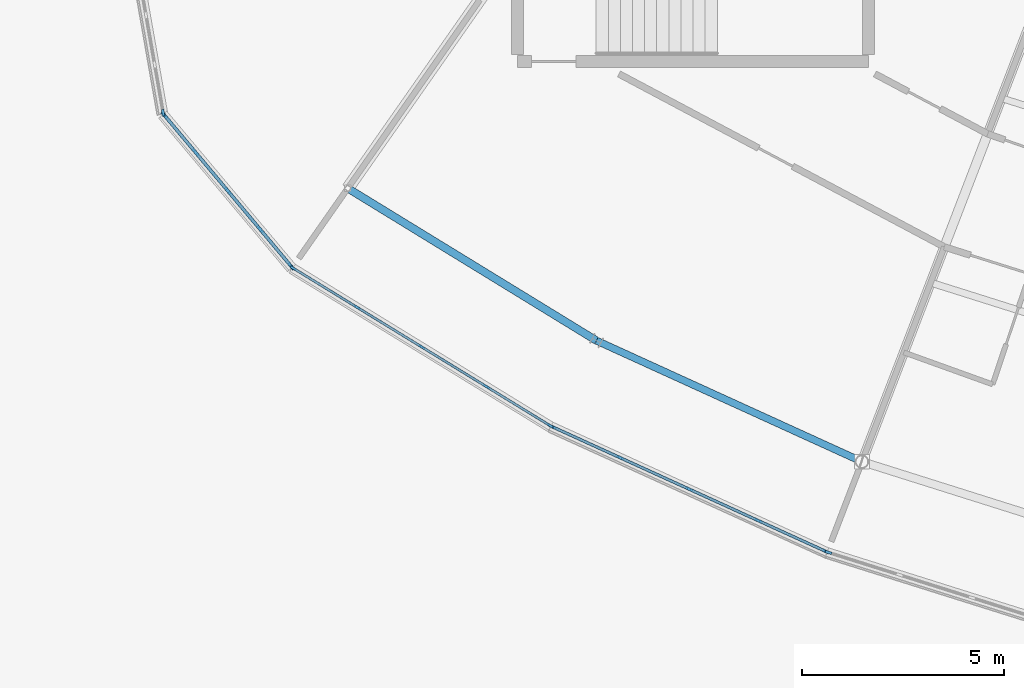
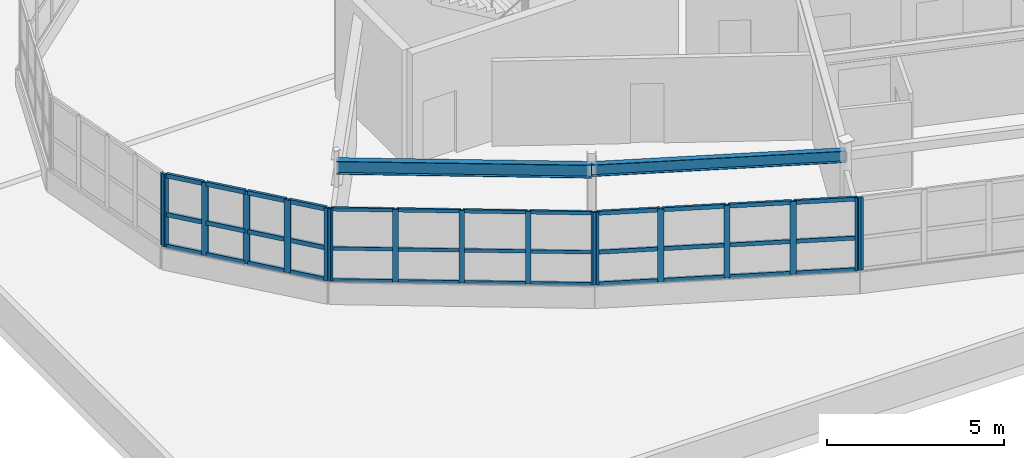
# One storey, part 26 of 128: 53 members, 2 beams, 5 elements without a shape of their own.
"""IFC4 building model written with IfcOpenShell, lengths in metres."""

from ifc_helpers import new_model, si_unit, direction, frame, origin, origin_2d, place, context, subcontext, project, spatial, rectangle, i_section, extrude, material, layer, layer_set, material_profile, profile_set, type_object, element, aggregate, save


model = new_model("IFC4")

# Units and contexts
model_context = context("Model", 3, precision=1e-05, world=origin(), true_north=direction((0.0, 1.0)))
body_context = subcontext(model_context, "Body", "Model", "MODEL_VIEW")
ifc_project = project(units=[si_unit("LENGTHUNIT", "METRE"), si_unit("AREAUNIT", "SQUARE_METRE"), si_unit("VOLUMEUNIT", "CUBIC_METRE"), si_unit("PLANEANGLEUNIT", "RADIAN"), si_unit("MASSUNIT", "GRAM", prefix="KILO")], contexts=[model_context])

# Site, building, storey
site_placement = place(None, origin())
site = spatial("IfcSite", under=ifc_project, at=site_placement, CompositionType="ELEMENT")
building_placement = place(site_placement, origin())
building = spatial("IfcBuilding", under=site, at=building_placement, Name="Tarnwether General Hospital", CompositionType="ELEMENT")
storey_placement = place(building_placement, frame((0.0, 0.0, 14.39990234375)))
storey = spatial("IfcBuildingStorey", under=building, at=storey_placement, Name="L03", CompositionType="ELEMENT", Elevation=14.39990234375)

# Beams
ifc_material_1 = material(Name="Steel Grade 350 (350 MPa)", Category="steel")
ifc_material_profile_1 = material_profile(ifc_material_1, i_section(OverallWidth=0.18994140625, OverallDepth=0.4541015625, WebThickness=0.008544921875, FlangeThickness=0.0126953125, at=origin_2d()), Name="460UB67.1")
ifc_profile_set_1 = profile_set([ifc_material_profile_1], Name="Steel Grade 350 (350 MPa)")
beam_type_1 = type_object("IfcBeamType", Name="BM-SP1", PredefinedType="SPANDREL", material=ifc_profile_set_1)
beam_1_placement = place(storey_placement, frame((58.0439453125, 14.506103515625, 3.3330078125), z_axis=(0.852678430503, -0.522436114902, 0.0), x_axis=(0.522436114902, 0.852678430503, 0.0)))
element("IfcBeam", 1, at=beam_1_placement, inside=storey, type_object=beam_type_1, Name="Curved Ward SE Outer Spandrel BMG-L03-5804_1451-6421_1073-2105", PredefinedType="SPANDREL", context=body_context, shape_type="SweptSolid", body=[
    extrude(i_section(OverallWidth=0.18994140625, OverallDepth=0.4541015625, WebThickness=0.008544921875, FlangeThickness=0.0126953125, at=origin_2d()), origin(), (0.0, 0.0, 1.0), 7.22802734375),
])
ifc_material_2 = material(Name="Steel Grade 350 (350 MPa)", Category="steel")
ifc_material_profile_2 = material_profile(ifc_material_2, i_section(OverallWidth=0.177978515625, OverallDepth=0.403076171875, WebThickness=0.007568359375, FlangeThickness=0.010986328125, at=origin_2d()), Name="410UB53.7")
ifc_profile_set_2 = profile_set([ifc_material_profile_2], Name="Steel Grade 350 (350 MPa)")
beam_type_2 = type_object("IfcBeamType", Name="BM-SP2", PredefinedType="SPANDREL", material=ifc_profile_set_2)
beam_2_placement = place(storey_placement, frame((64.20703125, 10.72998046875, 3.358642578125), z_axis=(0.909943842177, -0.414731484316, 0.0), x_axis=(0.414731484316, 0.909943842177, 0.0)))
element("IfcBeam", 2, at=beam_2_placement, inside=storey, type_object=beam_type_2, Name="Curved Ward SE Outer Spandrel BMG-L03-6421_1073-7078_773-2107", PredefinedType="SPANDREL", context=body_context, shape_type="SweptSolid", body=[
    extrude(i_section(OverallWidth=0.177978515625, OverallDepth=0.403076171875, WebThickness=0.007568359375, FlangeThickness=0.010986328125, at=origin_2d()), origin(), (0.0, 0.0, 1.0), 7.22900390625),
])

# Curtain wall, members
ifc_material_3 = material(Name="Anodised aluminium", Category="aluminium")
ifc_layer_1 = layer(ifc_material_3, 0.179931640625)
ifc_layer_set_1 = layer_set([ifc_layer_1], Name="Anodised aluminium")
curtain_wall_type_1 = type_object("IfcCurtainWallType", Name="CW-08", PredefinedType="NOTDEFINED", material=ifc_layer_set_1)
curtain_wall_1_placement = place(storey_placement, origin())
curtain_wall_1 = element("IfcCurtainWall", 3, at=curtain_wall_1_placement, inside=storey, type_object=curtain_wall_type_1, Name="Curtain Wall CWG-L03-631_86-0154", PredefinedType="NOTDEFINED")
ifc_material_4 = material(Name="Anodised aluminium", Category="aluminium")
ifc_material_profile_3 = material_profile(ifc_material_4, rectangle(XDim=0.06005859375, YDim=0.159912109375, at=origin_2d()), Name="ALU-MUL-60x160")
ifc_profile_set_3 = profile_set([ifc_material_profile_3], Name="Anodised aluminium")
member_type_1 = type_object("IfcMemberType", Name="CW-ML1", PredefinedType="MULLION", material=ifc_profile_set_3)
member_1_placement = place(storey_placement, frame((63.055419921875, 8.625732421875, 1.050048828125), z_axis=(0.0, 0.0, 1.0), x_axis=(-0.522509056361, -0.852633734977, 0.0)))
member_1 = element("IfcMember", 4, at=member_1_placement, type_object=member_type_1, Name="CW-08 mullion 1", PredefinedType="MULLION", context=body_context, shape_type="SweptSolid", body=[
    extrude(rectangle(XDim=0.06005859375, YDim=0.159912109375, at=origin_2d()), origin(), (0.0, 0.0, 1.0), 2.510009765625),
])
member_2_placement = place(storey_placement, frame((61.477783203125, 9.592529296875, 1.050048828125), z_axis=(0.0, 0.0, 1.0), x_axis=(-0.522509056361, -0.852633734977, 0.0)))
member_2 = element("IfcMember", 5, at=member_2_placement, type_object=member_type_1, Name="CW-08 mullion 2", PredefinedType="MULLION", context=body_context, shape_type="SweptSolid", body=[
    extrude(rectangle(XDim=0.06005859375, YDim=0.159912109375, at=origin_2d()), origin(), (0.0, 0.0, 1.0), 2.510009765625),
])
member_3_placement = place(storey_placement, frame((59.87451171875, 10.574951171875, 1.050048828125), z_axis=(0.0, 0.0, 1.0), x_axis=(-0.522509056361, -0.852633734977, 0.0)))
member_3 = element("IfcMember", 6, at=member_3_placement, type_object=member_type_1, Name="CW-08 mullion 3", PredefinedType="MULLION", context=body_context, shape_type="SweptSolid", body=[
    extrude(rectangle(XDim=0.06005859375, YDim=0.159912109375, at=origin_2d()), origin(), (0.0, 0.0, 1.0), 2.510009765625),
])
member_4_placement = place(storey_placement, frame((58.271240234375, 11.5576171875, 1.050048828125), z_axis=(0.0, 0.0, 1.0), x_axis=(-0.522509056361, -0.852633734977, 0.0)))
member_4 = element("IfcMember", 7, at=member_4_placement, type_object=member_type_1, Name="CW-08 mullion 4", PredefinedType="MULLION", context=body_context, shape_type="SweptSolid", body=[
    extrude(rectangle(XDim=0.06005859375, YDim=0.159912109375, at=origin_2d()), origin(), (0.0, 0.0, 1.0), 2.510009765625),
])
member_5_placement = place(storey_placement, frame((56.693603515625, 12.5244140625, 1.050048828125), z_axis=(0.0, 0.0, 1.0), x_axis=(-0.522509056361, -0.852633734977, 0.0)))
member_5 = element("IfcMember", 8, at=member_5_placement, type_object=member_type_1, Name="CW-08 mullion 5", PredefinedType="MULLION", context=body_context, shape_type="SweptSolid", body=[
    extrude(rectangle(XDim=0.06005859375, YDim=0.159912109375, at=origin_2d()), origin(), (0.0, 0.0, 1.0), 2.510009765625),
])

curtain_wall_2_placement = place(storey_placement, origin())
curtain_wall_2 = element("IfcCurtainWall", 9, at=curtain_wall_2_placement, inside=storey, type_object=curtain_wall_type_1, Name="Curtain Wall CWG-L03-699_55-0155", PredefinedType="NOTDEFINED")
ifc_material_5 = material(Name="Anodised aluminium", Category="aluminium")
ifc_material_profile_4 = material_profile(ifc_material_5, rectangle(XDim=0.070068359375, YDim=0.179931640625, at=origin_2d()), Name="ALU-MUL-70x180")
ifc_profile_set_4 = profile_set([ifc_material_profile_4], Name="Anodised aluminium")
member_type_2 = type_object("IfcMemberType", Name="CW-ML2", PredefinedType="MULLION", material=ifc_profile_set_4)
member_6_placement = place(storey_placement, frame((69.89306640625, 5.505615234375, 1.050048828125), z_axis=(0.0, 0.0, 1.0), x_axis=(-0.414694289316, -0.909960793886, 0.0)))
member_6 = element("IfcMember", 10, at=member_6_placement, type_object=member_type_2, Name="CW-08 mullion 1", PredefinedType="MULLION", context=body_context, shape_type="SweptSolid", body=[
    extrude(rectangle(XDim=0.070068359375, YDim=0.179931640625, at=origin_2d()), origin(), (0.0, 0.0, 1.0), 2.510009765625),
])
member_7_placement = place(storey_placement, frame((68.214111328125, 6.270751953125, 1.050048828125), z_axis=(0.0, 0.0, 1.0), x_axis=(-0.414694289316, -0.909960793886, 0.0)))
member_7 = element("IfcMember", 11, at=member_7_placement, type_object=member_type_2, Name="CW-08 mullion 2", PredefinedType="MULLION", context=body_context, shape_type="SweptSolid", body=[
    extrude(rectangle(XDim=0.070068359375, YDim=0.179931640625, at=origin_2d()), origin(), (0.0, 0.0, 1.0), 2.510009765625),
])
member_8_placement = place(storey_placement, frame((66.5029296875, 7.050537109375, 1.050048828125), z_axis=(0.0, 0.0, 1.0), x_axis=(-0.414694289316, -0.909960793886, 0.0)))
member_8 = element("IfcMember", 12, at=member_8_placement, type_object=member_type_2, Name="CW-08 mullion 3", PredefinedType="MULLION", context=body_context, shape_type="SweptSolid", body=[
    extrude(rectangle(XDim=0.070068359375, YDim=0.179931640625, at=origin_2d()), origin(), (0.0, 0.0, 1.0), 2.510009765625),
])
member_9_placement = place(storey_placement, frame((64.7919921875, 7.830322265625, 1.050048828125), z_axis=(0.0, 0.0, 1.0), x_axis=(-0.414694289316, -0.909960793886, 0.0)))
member_9 = element("IfcMember", 13, at=member_9_placement, type_object=member_type_2, Name="CW-08 mullion 4", PredefinedType="MULLION", context=body_context, shape_type="SweptSolid", body=[
    extrude(rectangle(XDim=0.070068359375, YDim=0.179931640625, at=origin_2d()), origin(), (0.0, 0.0, 1.0), 2.510009765625),
])
member_10_placement = place(storey_placement, frame((63.11279296875, 8.595458984375, 1.050048828125), z_axis=(0.0, 0.0, 1.0), x_axis=(-0.414694289316, -0.909960793886, 0.0)))
member_10 = element("IfcMember", 14, at=member_10_placement, type_object=member_type_2, Name="CW-08 mullion 5", PredefinedType="MULLION", context=body_context, shape_type="SweptSolid", body=[
    extrude(rectangle(XDim=0.070068359375, YDim=0.179931640625, at=origin_2d()), origin(), (0.0, 0.0, 1.0), 2.510009765625),
])

# Curtain wall, member
curtain_wall_3_placement = place(storey_placement, origin())
curtain_wall_3 = element("IfcCurtainWall", 15, at=curtain_wall_3_placement, inside=storey, type_object=curtain_wall_type_1, Name="Curtain Wall CWG-L03-771_32-0156", PredefinedType="NOTDEFINED")
ifc_material_6 = material(Name="Anodised aluminium", Category="aluminium")
ifc_material_profile_5 = material_profile(ifc_material_6, rectangle(XDim=0.06494140625, YDim=0.169921875, at=origin_2d()), Name="ALU-MUL-65x170")
ifc_profile_set_5 = profile_set([ifc_material_profile_5], Name="Anodised aluminium")
member_type_3 = type_object("IfcMemberType", Name="CW-ML3", PredefinedType="MULLION", material=ifc_profile_set_5)
member_11_placement = place(storey_placement, frame((69.9560546875, 5.481201171875, 1.050048828125), z_axis=(0.0, 0.0, 1.0), x_axis=(-0.300628613299, -0.953741284032, 0.0)))
member_11 = element("IfcMember", 16, at=member_11_placement, type_object=member_type_3, Name="CW-08 mullion 5", PredefinedType="MULLION", context=body_context, shape_type="SweptSolid", body=[
    extrude(rectangle(XDim=0.06494140625, YDim=0.169921875, at=origin_2d()), origin(), (0.0, 0.0, 1.0), 2.510009765625),
])
aggregate(curtain_wall_3, [member_11])

ifc_material_7 = material(Name="Anodised aluminium", Category="aluminium")
ifc_layer_2 = layer(ifc_material_7, 0.159912109375)
ifc_layer_set_2 = layer_set([ifc_layer_2], Name="Anodised aluminium")
curtain_wall_type_2 = type_object("IfcCurtainWallType", Name="CW-04", PredefinedType="NOTDEFINED", material=ifc_layer_set_2)
curtain_wall_4_placement = place(storey_placement, origin())
curtain_wall_4 = element("IfcCurtainWall", 17, at=curtain_wall_4_placement, inside=storey, type_object=curtain_wall_type_2, Name="Curtain Wall CWG-L03-535_163-0184", PredefinedType="NOTDEFINED")
member_12_placement = place(storey_placement, frame((53.46728515625, 16.37890625, 1.050048828125), z_axis=(0.0, 0.0, 1.0), x_axis=(-0.984840230098, -0.173463890135, 0.0)))
member_12 = element("IfcMember", 18, at=member_12_placement, type_object=member_type_3, Name="CW-04 mullion 1", PredefinedType="MULLION", context=body_context, shape_type="SweptSolid", body=[
    extrude(rectangle(XDim=0.06494140625, YDim=0.169921875, at=origin_2d()), origin(), (0.0, 0.0, 1.0), 2.510009765625),
])
aggregate(curtain_wall_4, [member_12])

# Curtain wall, members
curtain_wall_5_placement = place(storey_placement, origin())
curtain_wall_5 = element("IfcCurtainWall", 19, at=curtain_wall_5_placement, inside=storey, type_object=curtain_wall_type_2, Name="Curtain Wall CWG-L03-567_125-0185", PredefinedType="NOTDEFINED")
ifc_material_8 = material(Name="Anodised aluminium", Category="aluminium")
ifc_material_profile_6 = material_profile(ifc_material_8, rectangle(XDim=0.080078125, YDim=0.199951171875, at=origin_2d()), Name="ALU-MUL-80x200")
ifc_profile_set_6 = profile_set([ifc_material_profile_6], Name="Anodised aluminium")
member_type_4 = type_object("IfcMemberType", Name="CW-ML4", PredefinedType="MULLION", material=ifc_profile_set_6)
member_13_placement = place(storey_placement, frame((56.642333984375, 12.570556640625, 1.050048828125), z_axis=(0.0, 0.0, 1.0), x_axis=(-0.765990176896, -0.64285227611, 0.0)))
member_13 = element("IfcMember", 20, at=member_13_placement, type_object=member_type_4, Name="CW-04 mullion 1", PredefinedType="MULLION", context=body_context, shape_type="SweptSolid", body=[
    extrude(rectangle(XDim=0.080078125, YDim=0.199951171875, at=origin_2d()), origin(), (0.0, 0.0, 1.0), 2.510009765625),
])
member_14_placement = place(storey_placement, frame((55.869140625, 13.49169921875, 1.050048828125), z_axis=(0.0, 0.0, 1.0), x_axis=(-0.765990176896, -0.64285227611, 0.0)))
member_14 = element("IfcMember", 21, at=member_14_placement, type_object=member_type_4, Name="CW-04 mullion 2", PredefinedType="MULLION", context=body_context, shape_type="SweptSolid", body=[
    extrude(rectangle(XDim=0.080078125, YDim=0.199951171875, at=origin_2d()), origin(), (0.0, 0.0, 1.0), 2.510009765625),
])
member_15_placement = place(storey_placement, frame((55.070556640625, 14.443603515625, 1.050048828125), z_axis=(0.0, 0.0, 1.0), x_axis=(-0.765990176896, -0.64285227611, 0.0)))
member_15 = element("IfcMember", 22, at=member_15_placement, type_object=member_type_4, Name="CW-04 mullion 3", PredefinedType="MULLION", context=body_context, shape_type="SweptSolid", body=[
    extrude(rectangle(XDim=0.080078125, YDim=0.199951171875, at=origin_2d()), origin(), (0.0, 0.0, 1.0), 2.510009765625),
])
member_16_placement = place(storey_placement, frame((54.271728515625, 15.395263671875, 1.050048828125), z_axis=(0.0, 0.0, 1.0), x_axis=(-0.765990176896, -0.64285227611, 0.0)))
member_16 = element("IfcMember", 23, at=member_16_placement, type_object=member_type_4, Name="CW-04 mullion 4", PredefinedType="MULLION", context=body_context, shape_type="SweptSolid", body=[
    extrude(rectangle(XDim=0.080078125, YDim=0.199951171875, at=origin_2d()), origin(), (0.0, 0.0, 1.0), 2.510009765625),
])
member_17_placement = place(storey_placement, frame((53.498779296875, 16.31640625, 1.050048828125), z_axis=(0.0, 0.0, 1.0), x_axis=(-0.765990176896, -0.64285227611, 0.0)))
member_17 = element("IfcMember", 24, at=member_17_placement, type_object=member_type_4, Name="CW-04 mullion 5", PredefinedType="MULLION", context=body_context, shape_type="SweptSolid", body=[
    extrude(rectangle(XDim=0.080078125, YDim=0.199951171875, at=origin_2d()), origin(), (0.0, 0.0, 1.0), 2.510009765625),
])

# Member
ifc_material_9 = material(Name="Anodised aluminium", Category="aluminium")
ifc_material_profile_7 = material_profile(ifc_material_9, rectangle(XDim=0.06005859375, YDim=0.1201171875, at=origin_2d()), Name="ALU-TRN-60x120")
ifc_profile_set_7 = profile_set([ifc_material_profile_7], Name="Anodised aluminium")
member_type_5 = type_object("IfcMemberType", Name="CW-TR1", PredefinedType="USERDEFINED", material=ifc_profile_set_7)
member_18_placement = place(storey_placement, frame((63.02978515625, 8.641357421875, 1.080078125), z_axis=(-0.852593412512, 0.522574849128, 0.0), x_axis=(-0.522574849128, -0.852593412512, 0.0)))
member_18 = element("IfcMember", 25, at=member_18_placement, type_object=member_type_5, Name="CW-08 transom 1.1", ObjectType="TRANSOM", PredefinedType="USERDEFINED", context=body_context, shape_type="SweptSolid", body=[
    extrude(rectangle(XDim=0.06005859375, YDim=0.1201171875, at=origin_2d()), origin(), (0.0, 0.0, 1.0), 1.790283203125),
])

member_19_placement = place(storey_placement, frame((63.02978515625, 8.641357421875, 2.1796875), z_axis=(-0.852593412512, 0.522574849128, 0.0), x_axis=(-0.522574849128, -0.852593412512, 0.0)))
member_19 = element("IfcMember", 26, at=member_19_placement, type_object=member_type_5, Name="CW-08 transom 1.2", ObjectType="TRANSOM", PredefinedType="USERDEFINED", context=body_context, shape_type="SweptSolid", body=[
    extrude(rectangle(XDim=0.06005859375, YDim=0.1201171875, at=origin_2d()), origin(), (0.0, 0.0, 1.0), 1.790283203125),
])

member_20_placement = place(storey_placement, frame((63.02978515625, 8.641357421875, 3.530029296875), z_axis=(-0.852593412512, 0.522574849128, 0.0), x_axis=(-0.522574849128, -0.852593412512, 0.0)))
member_20 = element("IfcMember", 27, at=member_20_placement, type_object=member_type_5, Name="CW-08 transom 1.3", ObjectType="TRANSOM", PredefinedType="USERDEFINED", context=body_context, shape_type="SweptSolid", body=[
    extrude(rectangle(XDim=0.06005859375, YDim=0.1201171875, at=origin_2d()), origin(), (0.0, 0.0, 1.0), 1.790283203125),
])

member_21_placement = place(storey_placement, frame((61.4521484375, 9.608154296875, 1.080078125), z_axis=(-0.852614745509, 0.522540042237, 0.0), x_axis=(-0.522540042237, -0.852614745509, 0.0)))
member_21 = element("IfcMember", 28, at=member_21_placement, type_object=member_type_5, Name="CW-08 transom 2.1", ObjectType="TRANSOM", PredefinedType="USERDEFINED", context=body_context, shape_type="SweptSolid", body=[
    extrude(rectangle(XDim=0.06005859375, YDim=0.1201171875, at=origin_2d()), origin(), (0.0, 0.0, 1.0), 1.8203125),
])

member_22_placement = place(storey_placement, frame((61.4521484375, 9.608154296875, 2.1796875), z_axis=(-0.852614745509, 0.522540042237, 0.0), x_axis=(-0.522540042237, -0.852614745509, 0.0)))
member_22 = element("IfcMember", 29, at=member_22_placement, type_object=member_type_5, Name="CW-08 transom 2.2", ObjectType="TRANSOM", PredefinedType="USERDEFINED", context=body_context, shape_type="SweptSolid", body=[
    extrude(rectangle(XDim=0.06005859375, YDim=0.1201171875, at=origin_2d()), origin(), (0.0, 0.0, 1.0), 1.8203125),
])

member_23_placement = place(storey_placement, frame((61.4521484375, 9.608154296875, 3.530029296875), z_axis=(-0.852614745509, 0.522540042237, 0.0), x_axis=(-0.522540042237, -0.852614745509, 0.0)))
member_23 = element("IfcMember", 30, at=member_23_placement, type_object=member_type_5, Name="CW-08 transom 2.3", ObjectType="TRANSOM", PredefinedType="USERDEFINED", context=body_context, shape_type="SweptSolid", body=[
    extrude(rectangle(XDim=0.06005859375, YDim=0.1201171875, at=origin_2d()), origin(), (0.0, 0.0, 1.0), 1.8203125),
])

member_24_placement = place(storey_placement, frame((59.848876953125, 10.590576171875, 1.080078125), z_axis=(-0.852614745509, 0.522540042237, 0.0), x_axis=(-0.522540042237, -0.852614745509, 0.0)))
member_24 = element("IfcMember", 31, at=member_24_placement, type_object=member_type_5, Name="CW-08 transom 3.1", ObjectType="TRANSOM", PredefinedType="USERDEFINED", context=body_context, shape_type="SweptSolid", body=[
    extrude(rectangle(XDim=0.06005859375, YDim=0.1201171875, at=origin_2d()), origin(), (0.0, 0.0, 1.0), 1.8203125),
])

member_25_placement = place(storey_placement, frame((59.848876953125, 10.590576171875, 2.1796875), z_axis=(-0.852614745509, 0.522540042237, 0.0), x_axis=(-0.522540042237, -0.852614745509, 0.0)))
member_25 = element("IfcMember", 32, at=member_25_placement, type_object=member_type_5, Name="CW-08 transom 3.2", ObjectType="TRANSOM", PredefinedType="USERDEFINED", context=body_context, shape_type="SweptSolid", body=[
    extrude(rectangle(XDim=0.06005859375, YDim=0.1201171875, at=origin_2d()), origin(), (0.0, 0.0, 1.0), 1.8203125),
])

member_26_placement = place(storey_placement, frame((59.848876953125, 10.590576171875, 3.530029296875), z_axis=(-0.852614745509, 0.522540042237, 0.0), x_axis=(-0.522540042237, -0.852614745509, 0.0)))
member_26 = element("IfcMember", 33, at=member_26_placement, type_object=member_type_5, Name="CW-08 transom 3.3", ObjectType="TRANSOM", PredefinedType="USERDEFINED", context=body_context, shape_type="SweptSolid", body=[
    extrude(rectangle(XDim=0.06005859375, YDim=0.1201171875, at=origin_2d()), origin(), (0.0, 0.0, 1.0), 1.8203125),
])

member_27_placement = place(storey_placement, frame((58.24560546875, 11.5732421875, 1.080078125), z_axis=(-0.852654170479, 0.52247570811, 0.0), x_axis=(-0.52247570811, -0.852654170479, 0.0)))
member_27 = element("IfcMember", 34, at=member_27_placement, type_object=member_type_5, Name="CW-08 transom 4.1", ObjectType="TRANSOM", PredefinedType="USERDEFINED", context=body_context, shape_type="SweptSolid", body=[
    extrude(rectangle(XDim=0.06005859375, YDim=0.1201171875, at=origin_2d()), origin(), (0.0, 0.0, 1.0), 1.7900390625),
])

member_28_placement = place(storey_placement, frame((58.24560546875, 11.5732421875, 2.1796875), z_axis=(-0.852654170479, 0.52247570811, 0.0), x_axis=(-0.52247570811, -0.852654170479, 0.0)))
member_28 = element("IfcMember", 35, at=member_28_placement, type_object=member_type_5, Name="CW-08 transom 4.2", ObjectType="TRANSOM", PredefinedType="USERDEFINED", context=body_context, shape_type="SweptSolid", body=[
    extrude(rectangle(XDim=0.06005859375, YDim=0.1201171875, at=origin_2d()), origin(), (0.0, 0.0, 1.0), 1.7900390625),
])

member_29_placement = place(storey_placement, frame((58.24560546875, 11.5732421875, 3.530029296875), z_axis=(-0.852654170479, 0.52247570811, 0.0), x_axis=(-0.52247570811, -0.852654170479, 0.0)))
member_29 = element("IfcMember", 36, at=member_29_placement, type_object=member_type_5, Name="CW-08 transom 4.3", ObjectType="TRANSOM", PredefinedType="USERDEFINED", context=body_context, shape_type="SweptSolid", body=[
    extrude(rectangle(XDim=0.06005859375, YDim=0.1201171875, at=origin_2d()), origin(), (0.0, 0.0, 1.0), 1.7900390625),
])

aggregate(curtain_wall_1, [member_1, member_2, member_3, member_4, member_5, member_18, member_19, member_20, member_21, member_22, member_23, member_24, member_25, member_26, member_27, member_28, member_29])

ifc_material_10 = material(Name="Anodised aluminium", Category="aluminium")
ifc_material_profile_8 = material_profile(ifc_material_10, rectangle(XDim=0.070068359375, YDim=0.139892578125, at=origin_2d()), Name="ALU-TRN-70x140")
ifc_profile_set_8 = profile_set([ifc_material_profile_8], Name="Anodised aluminium")
member_type_6 = type_object("IfcMemberType", Name="CW-TR2", PredefinedType="USERDEFINED", material=ifc_profile_set_8)
member_30_placement = place(storey_placement, frame((69.861328125, 5.52001953125, 1.085205078125), z_axis=(-0.909937431902, 0.414745548529, 0.0), x_axis=(-0.414745548529, -0.909937431902, 0.0)))
member_30 = element("IfcMember", 37, at=member_30_placement, type_object=member_type_6, Name="CW-08 transom 1.1", ObjectType="TRANSOM", PredefinedType="USERDEFINED", context=body_context, shape_type="SweptSolid", body=[
    extrude(rectangle(XDim=0.070068359375, YDim=0.139892578125, at=origin_2d()), origin(), (0.0, 0.0, 1.0), 1.775390625),
])

member_31_placement = place(storey_placement, frame((69.861328125, 5.52001953125, 2.1796875), z_axis=(-0.909937431902, 0.414745548529, 0.0), x_axis=(-0.414745548529, -0.909937431902, 0.0)))
member_31 = element("IfcMember", 38, at=member_31_placement, type_object=member_type_6, Name="CW-08 transom 1.2", ObjectType="TRANSOM", PredefinedType="USERDEFINED", context=body_context, shape_type="SweptSolid", body=[
    extrude(rectangle(XDim=0.070068359375, YDim=0.139892578125, at=origin_2d()), origin(), (0.0, 0.0, 1.0), 1.775390625),
])

member_32_placement = place(storey_placement, frame((69.861328125, 5.52001953125, 3.525146484375), z_axis=(-0.909937431902, 0.414745548529, 0.0), x_axis=(-0.414745548529, -0.909937431902, 0.0)))
member_32 = element("IfcMember", 39, at=member_32_placement, type_object=member_type_6, Name="CW-08 transom 1.3", ObjectType="TRANSOM", PredefinedType="USERDEFINED", context=body_context, shape_type="SweptSolid", body=[
    extrude(rectangle(XDim=0.070068359375, YDim=0.139892578125, at=origin_2d()), origin(), (0.0, 0.0, 1.0), 1.775390625),
])

member_33_placement = place(storey_placement, frame((68.18212890625, 6.28515625, 1.085205078125), z_axis=(-0.90995033094, 0.414717247316, 0.0), x_axis=(-0.414717247316, -0.90995033094, 0.0)))
member_33 = element("IfcMember", 40, at=member_33_placement, type_object=member_type_6, Name="CW-08 transom 2.1", ObjectType="TRANSOM", PredefinedType="USERDEFINED", context=body_context, shape_type="SweptSolid", body=[
    extrude(rectangle(XDim=0.070068359375, YDim=0.139892578125, at=origin_2d()), origin(), (0.0, 0.0, 1.0), 1.810302734375),
])

member_34_placement = place(storey_placement, frame((68.18212890625, 6.28515625, 2.1796875), z_axis=(-0.90995033094, 0.414717247316, 0.0), x_axis=(-0.414717247316, -0.90995033094, 0.0)))
member_34 = element("IfcMember", 41, at=member_34_placement, type_object=member_type_6, Name="CW-08 transom 2.2", ObjectType="TRANSOM", PredefinedType="USERDEFINED", context=body_context, shape_type="SweptSolid", body=[
    extrude(rectangle(XDim=0.070068359375, YDim=0.139892578125, at=origin_2d()), origin(), (0.0, 0.0, 1.0), 1.810302734375),
])

member_35_placement = place(storey_placement, frame((68.18212890625, 6.28515625, 3.525146484375), z_axis=(-0.90995033094, 0.414717247316, 0.0), x_axis=(-0.414717247316, -0.90995033094, 0.0)))
member_35 = element("IfcMember", 42, at=member_35_placement, type_object=member_type_6, Name="CW-08 transom 2.3", ObjectType="TRANSOM", PredefinedType="USERDEFINED", context=body_context, shape_type="SweptSolid", body=[
    extrude(rectangle(XDim=0.070068359375, YDim=0.139892578125, at=origin_2d()), origin(), (0.0, 0.0, 1.0), 1.810302734375),
])

member_36_placement = place(storey_placement, frame((66.47119140625, 7.06494140625, 1.085205078125), z_axis=(-0.909973522568, 0.41466635772, 0.0), x_axis=(-0.41466635772, -0.909973522568, 0.0)))
member_36 = element("IfcMember", 43, at=member_36_placement, type_object=member_type_6, Name="CW-08 transom 3.1", ObjectType="TRANSOM", PredefinedType="USERDEFINED", context=body_context, shape_type="SweptSolid", body=[
    extrude(rectangle(XDim=0.070068359375, YDim=0.139892578125, at=origin_2d()), origin(), (0.0, 0.0, 1.0), 1.810546875),
])

member_37_placement = place(storey_placement, frame((66.47119140625, 7.06494140625, 2.1796875), z_axis=(-0.909973522568, 0.41466635772, 0.0), x_axis=(-0.41466635772, -0.909973522568, 0.0)))
member_37 = element("IfcMember", 44, at=member_37_placement, type_object=member_type_6, Name="CW-08 transom 3.2", ObjectType="TRANSOM", PredefinedType="USERDEFINED", context=body_context, shape_type="SweptSolid", body=[
    extrude(rectangle(XDim=0.070068359375, YDim=0.139892578125, at=origin_2d()), origin(), (0.0, 0.0, 1.0), 1.810546875),
])

member_38_placement = place(storey_placement, frame((66.47119140625, 7.06494140625, 3.525146484375), z_axis=(-0.909973522568, 0.41466635772, 0.0), x_axis=(-0.41466635772, -0.909973522568, 0.0)))
member_38 = element("IfcMember", 45, at=member_38_placement, type_object=member_type_6, Name="CW-08 transom 3.3", ObjectType="TRANSOM", PredefinedType="USERDEFINED", context=body_context, shape_type="SweptSolid", body=[
    extrude(rectangle(XDim=0.070068359375, YDim=0.139892578125, at=origin_2d()), origin(), (0.0, 0.0, 1.0), 1.810546875),
])

member_39_placement = place(storey_placement, frame((64.76025390625, 7.8447265625, 1.085205078125), z_axis=(-0.909937431902, 0.414745548529, 0.0), x_axis=(-0.414745548529, -0.909937431902, 0.0)))
member_39 = element("IfcMember", 46, at=member_39_placement, type_object=member_type_6, Name="CW-08 transom 4.1", ObjectType="TRANSOM", PredefinedType="USERDEFINED", context=body_context, shape_type="SweptSolid", body=[
    extrude(rectangle(XDim=0.070068359375, YDim=0.139892578125, at=origin_2d()), origin(), (0.0, 0.0, 1.0), 1.775390625),
])

member_40_placement = place(storey_placement, frame((64.76025390625, 7.8447265625, 2.1796875), z_axis=(-0.909937431902, 0.414745548529, 0.0), x_axis=(-0.414745548529, -0.909937431902, 0.0)))
member_40 = element("IfcMember", 47, at=member_40_placement, type_object=member_type_6, Name="CW-08 transom 4.2", ObjectType="TRANSOM", PredefinedType="USERDEFINED", context=body_context, shape_type="SweptSolid", body=[
    extrude(rectangle(XDim=0.070068359375, YDim=0.139892578125, at=origin_2d()), origin(), (0.0, 0.0, 1.0), 1.775390625),
])

member_41_placement = place(storey_placement, frame((64.76025390625, 7.8447265625, 3.525146484375), z_axis=(-0.909937431902, 0.414745548529, 0.0), x_axis=(-0.414745548529, -0.909937431902, 0.0)))
member_41 = element("IfcMember", 48, at=member_41_placement, type_object=member_type_6, Name="CW-08 transom 4.3", ObjectType="TRANSOM", PredefinedType="USERDEFINED", context=body_context, shape_type="SweptSolid", body=[
    extrude(rectangle(XDim=0.070068359375, YDim=0.139892578125, at=origin_2d()), origin(), (0.0, 0.0, 1.0), 1.775390625),
])

aggregate(curtain_wall_2, [member_6, member_7, member_8, member_9, member_10, member_30, member_31, member_32, member_33, member_34, member_35, member_36, member_37, member_38, member_39, member_40, member_41])

ifc_material_11 = material(Name="Anodised aluminium", Category="aluminium")
ifc_material_profile_9 = material_profile(ifc_material_11, rectangle(XDim=0.080078125, YDim=0.14990234375, at=origin_2d()), Name="ALU-TRN-80x150")
ifc_profile_set_9 = profile_set([ifc_material_profile_9], Name="Anodised aluminium")
member_type_7 = type_object("IfcMemberType", Name="CW-TR4", PredefinedType="USERDEFINED", material=ifc_profile_set_9)
member_42_placement = place(storey_placement, frame((56.616455078125, 12.601318359375, 1.090087890625), z_axis=(-0.642748180301, 0.766077526572, 0.0), x_axis=(-0.766077526572, -0.642748180301, 0.0)))
member_42 = element("IfcMember", 49, at=member_42_placement, type_object=member_type_7, Name="CW-04 transom 1.1", ObjectType="TRANSOM", PredefinedType="USERDEFINED", context=body_context, shape_type="SweptSolid", body=[
    extrude(rectangle(XDim=0.080078125, YDim=0.14990234375, at=origin_2d()), origin(), (0.0, 0.0, 1.0), 1.122314453125),
])

member_43_placement = place(storey_placement, frame((56.616455078125, 12.601318359375, 2.1796875), z_axis=(-0.642748180301, 0.766077526572, 0.0), x_axis=(-0.766077526572, -0.642748180301, 0.0)))
member_43 = element("IfcMember", 50, at=member_43_placement, type_object=member_type_7, Name="CW-04 transom 1.2", ObjectType="TRANSOM", PredefinedType="USERDEFINED", context=body_context, shape_type="SweptSolid", body=[
    extrude(rectangle(XDim=0.080078125, YDim=0.14990234375, at=origin_2d()), origin(), (0.0, 0.0, 1.0), 1.122314453125),
])

member_44_placement = place(storey_placement, frame((56.616455078125, 12.601318359375, 3.52001953125), z_axis=(-0.642748180301, 0.766077526572, 0.0), x_axis=(-0.766077526572, -0.642748180301, 0.0)))
member_44 = element("IfcMember", 51, at=member_44_placement, type_object=member_type_7, Name="CW-04 transom 1.3", ObjectType="TRANSOM", PredefinedType="USERDEFINED", context=body_context, shape_type="SweptSolid", body=[
    extrude(rectangle(XDim=0.080078125, YDim=0.14990234375, at=origin_2d()), origin(), (0.0, 0.0, 1.0), 1.122314453125),
])

member_45_placement = place(storey_placement, frame((55.843505859375, 13.5224609375, 1.090087890625), z_axis=(-0.642886651766, 0.765961326035, 0.0), x_axis=(-0.765961326035, -0.642886651766, 0.0)))
member_45 = element("IfcMember", 52, at=member_45_placement, type_object=member_type_7, Name="CW-04 transom 2.1", ObjectType="TRANSOM", PredefinedType="USERDEFINED", context=body_context, shape_type="SweptSolid", body=[
    extrude(rectangle(XDim=0.080078125, YDim=0.14990234375, at=origin_2d()), origin(), (0.0, 0.0, 1.0), 1.162353515625),
])

member_46_placement = place(storey_placement, frame((55.843505859375, 13.5224609375, 2.1796875), z_axis=(-0.642886651766, 0.765961326035, 0.0), x_axis=(-0.765961326035, -0.642886651766, 0.0)))
member_46 = element("IfcMember", 53, at=member_46_placement, type_object=member_type_7, Name="CW-04 transom 2.2", ObjectType="TRANSOM", PredefinedType="USERDEFINED", context=body_context, shape_type="SweptSolid", body=[
    extrude(rectangle(XDim=0.080078125, YDim=0.14990234375, at=origin_2d()), origin(), (0.0, 0.0, 1.0), 1.162353515625),
])

member_47_placement = place(storey_placement, frame((55.843505859375, 13.5224609375, 3.52001953125), z_axis=(-0.642886651766, 0.765961326035, 0.0), x_axis=(-0.765961326035, -0.642886651766, 0.0)))
member_47 = element("IfcMember", 54, at=member_47_placement, type_object=member_type_7, Name="CW-04 transom 2.3", ObjectType="TRANSOM", PredefinedType="USERDEFINED", context=body_context, shape_type="SweptSolid", body=[
    extrude(rectangle(XDim=0.080078125, YDim=0.14990234375, at=origin_2d()), origin(), (0.0, 0.0, 1.0), 1.162353515625),
])

member_48_placement = place(storey_placement, frame((55.044677734375, 14.47412109375, 1.090087890625), z_axis=(-0.642886651766, 0.765961326035, 0.0), x_axis=(-0.765961326035, -0.642886651766, 0.0)))
member_48 = element("IfcMember", 55, at=member_48_placement, type_object=member_type_7, Name="CW-04 transom 3.1", ObjectType="TRANSOM", PredefinedType="USERDEFINED", context=body_context, shape_type="SweptSolid", body=[
    extrude(rectangle(XDim=0.080078125, YDim=0.14990234375, at=origin_2d()), origin(), (0.0, 0.0, 1.0), 1.162353515625),
])

member_49_placement = place(storey_placement, frame((55.044677734375, 14.47412109375, 2.1796875), z_axis=(-0.642886651766, 0.765961326035, 0.0), x_axis=(-0.765961326035, -0.642886651766, 0.0)))
member_49 = element("IfcMember", 56, at=member_49_placement, type_object=member_type_7, Name="CW-04 transom 3.2", ObjectType="TRANSOM", PredefinedType="USERDEFINED", context=body_context, shape_type="SweptSolid", body=[
    extrude(rectangle(XDim=0.080078125, YDim=0.14990234375, at=origin_2d()), origin(), (0.0, 0.0, 1.0), 1.162353515625),
])

member_50_placement = place(storey_placement, frame((55.044677734375, 14.47412109375, 3.52001953125), z_axis=(-0.642886651766, 0.765961326035, 0.0), x_axis=(-0.765961326035, -0.642886651766, 0.0)))
member_50 = element("IfcMember", 57, at=member_50_placement, type_object=member_type_7, Name="CW-04 transom 3.3", ObjectType="TRANSOM", PredefinedType="USERDEFINED", context=body_context, shape_type="SweptSolid", body=[
    extrude(rectangle(XDim=0.080078125, YDim=0.14990234375, at=origin_2d()), origin(), (0.0, 0.0, 1.0), 1.162353515625),
])

member_51_placement = place(storey_placement, frame((54.24609375, 15.42578125, 1.090087890625), z_axis=(-0.642875805885, 0.765970429069, 0.0), x_axis=(-0.765970429069, -0.642875805885, 0.0)))
member_51 = element("IfcMember", 58, at=member_51_placement, type_object=member_type_7, Name="CW-04 transom 4.1", ObjectType="TRANSOM", PredefinedType="USERDEFINED", context=body_context, shape_type="SweptSolid", body=[
    extrude(rectangle(XDim=0.080078125, YDim=0.14990234375, at=origin_2d()), origin(), (0.0, 0.0, 1.0), 1.12255859375),
])

member_52_placement = place(storey_placement, frame((54.24609375, 15.42578125, 2.1796875), z_axis=(-0.642875805885, 0.765970429069, 0.0), x_axis=(-0.765970429069, -0.642875805885, 0.0)))
member_52 = element("IfcMember", 59, at=member_52_placement, type_object=member_type_7, Name="CW-04 transom 4.2", ObjectType="TRANSOM", PredefinedType="USERDEFINED", context=body_context, shape_type="SweptSolid", body=[
    extrude(rectangle(XDim=0.080078125, YDim=0.14990234375, at=origin_2d()), origin(), (0.0, 0.0, 1.0), 1.12255859375),
])

member_53_placement = place(storey_placement, frame((54.24609375, 15.42578125, 3.52001953125), z_axis=(-0.642875805885, 0.765970429069, 0.0), x_axis=(-0.765970429069, -0.642875805885, 0.0)))
member_53 = element("IfcMember", 60, at=member_53_placement, type_object=member_type_7, Name="CW-04 transom 4.3", ObjectType="TRANSOM", PredefinedType="USERDEFINED", context=body_context, shape_type="SweptSolid", body=[
    extrude(rectangle(XDim=0.080078125, YDim=0.14990234375, at=origin_2d()), origin(), (0.0, 0.0, 1.0), 1.12255859375),
])

aggregate(curtain_wall_5, [member_13, member_14, member_15, member_16, member_17, member_42, member_43, member_44, member_45, member_46, member_47, member_48, member_49, member_50, member_51, member_52, member_53])

save(model, "model.ifc")
